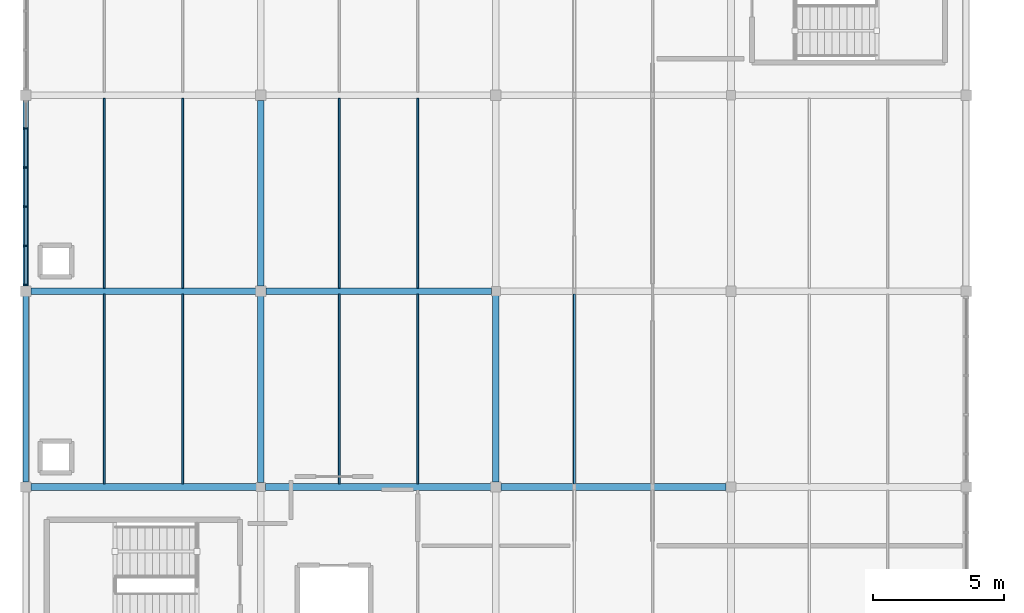
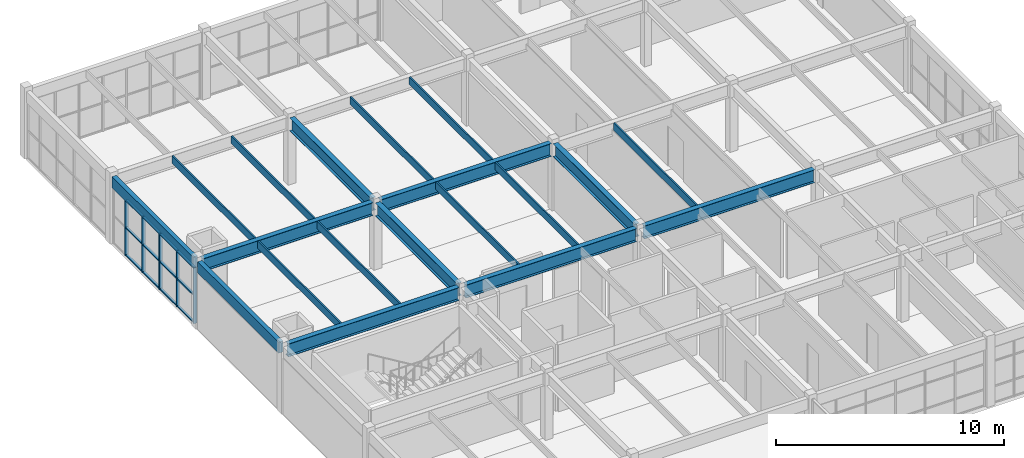
# One storey, part 30 of 81: 19 beams, 17 members, 1 element without a shape of its own.
"""IFC4 building model written with IfcOpenShell, lengths in metres."""

from ifc_helpers import new_model, si_unit, direction, frame, origin, origin_2d, place, context, subcontext, project, spatial, rectangle, i_section, extrude, material, layer, layer_set, material_profile, profile_set, type_object, element, aggregate, save


model = new_model("IFC4")

# Units and contexts
model_context = context("Model", 3, precision=1e-05, world=origin(), true_north=direction((0.0, 1.0)))
body_context = subcontext(model_context, "Body", "Model", "MODEL_VIEW")
ifc_project = project(units=[si_unit("LENGTHUNIT", "METRE"), si_unit("AREAUNIT", "SQUARE_METRE"), si_unit("VOLUMEUNIT", "CUBIC_METRE"), si_unit("PLANEANGLEUNIT", "RADIAN"), si_unit("MASSUNIT", "GRAM", prefix="KILO")], contexts=[model_context])

# Site, building, storey
site_placement = place(None, origin())
site = spatial("IfcSite", under=ifc_project, at=site_placement, CompositionType="ELEMENT")
building_placement = place(site_placement, origin())
building = spatial("IfcBuilding", under=site, at=building_placement, Name="Marnridge Secondary College", CompositionType="ELEMENT")
storey_placement = place(building_placement, frame((0.0, 0.0, 8.5)))
storey = spatial("IfcBuildingStorey", under=building, at=storey_placement, Name="L02", CompositionType="ELEMENT", Elevation=8.5)

# Beams
ifc_material_1 = material(Name="Glulam timber GL18", Category="wood")
ifc_material_profile_1 = material_profile(ifc_material_1, rectangle(XDim=0.215087890625, YDim=0.5849609375, at=origin_2d()), Name="GL18 215x585")
ifc_profile_set_1 = profile_set([ifc_material_profile_1], Name="Glulam timber GL18")
beam_type_1 = type_object("IfcBeamType", Name="BM-GL585-EXT", PredefinedType="SPANDREL", material=ifc_profile_set_1)
for number, where, z_axis, x_axis, name in (
    (1, (0.0, 97.694091796875, 3.28759765625), (0.0, 1.0, 0.0), (-1.0, 0.0, 0.0), "Beam BS-L02-0862"),
    (2, (0.0, 105.194091796875, 3.28759765625), (0.0, 1.0, 0.0), (-1.0, 0.0, 0.0), "Beam BS-L02-0865"),
):
    element("IfcBeam", number, at=place(storey_placement, frame(where, z_axis=z_axis, x_axis=x_axis)), inside=storey, type_object=beam_type_1, Name=name, PredefinedType="SPANDREL", context=body_context, shape_type="SweptSolid", body=[
        extrude(rectangle(XDim=0.215087890625, YDim=0.5849609375, at=origin_2d()), origin(), (0.0, 0.0, 1.0), 7.11181640625),
    ])
ifc_material_2 = material(Name="Engineered timber LVL E13.2", Category="wood")
ifc_material_profile_2 = material_profile(ifc_material_2, rectangle(XDim=0.074951171875, YDim=0.39990234375, at=origin_2d()), Name="LVL 75x400")
ifc_profile_set_2 = profile_set([ifc_material_profile_2], Name="Engineered timber LVL E13.2")
beam_type_2 = type_object("IfcBeamType", Name="BM-LVL400-INT", PredefinedType="JOIST", material=ifc_profile_set_2)
for number, where, z_axis, x_axis, name in (
    (3, (3.0, 97.618896484375, 3.3798828125), (0.0, 1.0, 0.0), (-1.0, 0.0, 0.0), "Beam BJ-L02-0906"),
    (4, (6.0, 97.618896484375, 3.3798828125), (0.0, 1.0, 0.0), (-1.0, 0.0, 0.0), "Beam BJ-L02-0907"),
    (5, (3.0, 105.118896484375, 3.3798828125), (0.0, 1.0, 0.0), (-1.0, 0.0, 0.0), "Beam BJ-L02-0908"),
    (6, (6.0, 105.118896484375, 3.3798828125), (0.0, 1.0, 0.0), (-1.0, 0.0, 0.0), "Beam BJ-L02-0909"),
    (7, (12.0, 97.618896484375, 3.3798828125), (0.0, 1.0, 0.0), (-1.0, 0.0, 0.0), "Beam BJ-L02-0913"),
    (8, (15.0, 97.618896484375, 3.3798828125), (0.0, 1.0, 0.0), (-1.0, 0.0, 0.0), "Beam BJ-L02-0914"),
    (9, (12.0, 105.118896484375, 3.3798828125), (0.0, 1.0, 0.0), (-1.0, 0.0, 0.0), "Beam BJ-L02-0915"),
    (10, (15.0, 105.118896484375, 3.3798828125), (0.0, 1.0, 0.0), (-1.0, 0.0, 0.0), "Beam BJ-L02-0916"),
    (11, (21.0, 97.618896484375, 3.3798828125), (0.0, 1.0, 0.0), (-1.0, 0.0, 0.0), "Beam BJ-L02-0921"),
):
    element("IfcBeam", number, at=place(storey_placement, frame(where, z_axis=z_axis, x_axis=x_axis)), inside=storey, type_object=beam_type_2, Name=name, PredefinedType="JOIST", context=body_context, shape_type="SweptSolid", body=[
        extrude(rectangle(XDim=0.074951171875, YDim=0.39990234375, at=origin_2d()), origin(), (0.0, 0.0, 1.0), 7.26220703125),
    ])
ifc_material_3 = material(Name="Structural steel Grade 350 (AS/NZS 3679.1/.2, fy = 340-360 MPa)", Category="steel")
ifc_material_profile_3 = material_profile(ifc_material_3, i_section(OverallWidth=0.25, OverallDepth=0.69189453125, WebThickness=0.009033203125, FlangeThickness=0.01611328125, at=origin_2d()), Name="700WB115")
ifc_profile_set_3 = profile_set([ifc_material_profile_3], Name="Structural steel Grade 350 (AS/NZS 3679.1/.2, fy = 340-360 MPa)")
beam_type_3 = type_object("IfcBeamType", Name="BM-WB700-INT", PredefinedType="BEAM", material=ifc_profile_set_3)
beam_1_placement = place(storey_placement, frame((0.194091796875, 97.5, 3.23388671875), z_axis=(1.0, 0.0, 0.0), x_axis=(0.0, 1.0, 0.0)))
element("IfcBeam", 12, at=beam_1_placement, inside=storey, type_object=beam_type_3, Name="Beam B-L02-0858", PredefinedType="BEAM", context=body_context, shape_type="SweptSolid", body=[
    extrude(i_section(OverallWidth=0.25, OverallDepth=0.69189453125, WebThickness=0.009033203125, FlangeThickness=0.01611328125, at=origin_2d()), origin(), (0.0, 0.0, 1.0), 8.6318359375),
])
beam_2_placement = place(storey_placement, frame((0.194091796875, 105.0, 3.23388671875), z_axis=(1.0, 0.0, 0.0), x_axis=(0.0, 1.0, 0.0)))
element("IfcBeam", 13, at=beam_2_placement, inside=storey, type_object=beam_type_3, Name="Beam B-L02-0861", PredefinedType="BEAM", context=body_context, shape_type="SweptSolid", body=[
    extrude(i_section(OverallWidth=0.25, OverallDepth=0.69189453125, WebThickness=0.009033203125, FlangeThickness=0.01611328125, at=origin_2d()), origin(), (0.0, 0.0, 1.0), 8.61181640625),
])
beam_3_placement = place(storey_placement, frame((9.0, 97.674072265625, 3.23388671875), z_axis=(0.0, 1.0, 0.0), x_axis=(-1.0, 0.0, 0.0)))
element("IfcBeam", 14, at=beam_3_placement, inside=storey, type_object=beam_type_3, Name="Beam B-L02-0863", PredefinedType="BEAM", context=body_context, shape_type="SweptSolid", body=[
    extrude(i_section(OverallWidth=0.25, OverallDepth=0.69189453125, WebThickness=0.009033203125, FlangeThickness=0.01611328125, at=origin_2d()), origin(), (0.0, 0.0, 1.0), 7.1318359375),
])
beam_4_placement = place(storey_placement, frame((9.0, 105.194091796875, 3.23388671875), z_axis=(0.0, 1.0, 0.0), x_axis=(-1.0, 0.0, 0.0)))
element("IfcBeam", 15, at=beam_4_placement, inside=storey, type_object=beam_type_3, Name="Beam B-L02-0866", PredefinedType="BEAM", context=body_context, shape_type="SweptSolid", body=[
    extrude(i_section(OverallWidth=0.25, OverallDepth=0.69189453125, WebThickness=0.009033203125, FlangeThickness=0.01611328125, at=origin_2d()), origin(), (0.0, 0.0, 1.0), 7.11181640625),
])
for number, where, z_axis, x_axis, name in (
    (16, (9.174072265625, 97.5, 3.23388671875), (1.0, 0.0, 0.0), (0.0, 1.0, 0.0), "Beam B-L02-0871"),
    (17, (9.194091796875, 105.0, 3.23388671875), (1.0, 0.0, 0.0), (0.0, 1.0, 0.0), "Beam B-L02-0873"),
):
    element("IfcBeam", number, at=place(storey_placement, frame(where, z_axis=z_axis, x_axis=x_axis)), inside=storey, type_object=beam_type_3, Name=name, PredefinedType="BEAM", context=body_context, shape_type="SweptSolid", body=[
        extrude(i_section(OverallWidth=0.25, OverallDepth=0.69189453125, WebThickness=0.009033203125, FlangeThickness=0.01611328125, at=origin_2d()), origin(), (0.0, 0.0, 1.0), 8.6318359375),
    ])
beam_5_placement = place(storey_placement, frame((18.0, 97.694091796875, 3.23388671875), z_axis=(0.0, 1.0, 0.0), x_axis=(-1.0, 0.0, 0.0)))
element("IfcBeam", 18, at=beam_5_placement, inside=storey, type_object=beam_type_3, Name="Beam B-L02-0874", PredefinedType="BEAM", context=body_context, shape_type="SweptSolid", body=[
    extrude(i_section(OverallWidth=0.25, OverallDepth=0.69189453125, WebThickness=0.009033203125, FlangeThickness=0.01611328125, at=origin_2d()), origin(), (0.0, 0.0, 1.0), 7.1318359375),
])
beam_6_placement = place(storey_placement, frame((18.194091796875, 97.5, 3.23388671875), z_axis=(1.0, 0.0, 0.0), x_axis=(0.0, 1.0, 0.0)))
element("IfcBeam", 19, at=beam_6_placement, inside=storey, type_object=beam_type_3, Name="Beam B-L02-0880", PredefinedType="BEAM", context=body_context, shape_type="SweptSolid", body=[
    extrude(i_section(OverallWidth=0.25, OverallDepth=0.69189453125, WebThickness=0.009033203125, FlangeThickness=0.01611328125, at=origin_2d()), origin(), (0.0, 0.0, 1.0), 8.61181640625),
])

# Curtain wall, members
ifc_material_4 = material(Name="Thermally broken aluminium and low-E glazing", Category="aluminium")
ifc_layer = layer(ifc_material_4, 0.159912109375)
ifc_layer_set = layer_set([ifc_layer], Name="CW-MOD-1500")
curtain_wall_type = type_object("IfcCurtainWallType", Name="CW-MOD-1500", PredefinedType="NOTDEFINED", material=ifc_layer_set)
curtain_wall_placement = place(storey_placement, origin())
curtain_wall = element("IfcCurtainWall", 20, at=curtain_wall_placement, inside=storey, type_object=curtain_wall_type, Name="Unitised curtain wall CW-L02-098", PredefinedType="NOTDEFINED")
ifc_material_5 = material(Name="Anodised aluminium 6063-T6", Category="aluminium")
ifc_material_profile_4 = material_profile(ifc_material_5, rectangle(XDim=0.06005859375, YDim=0.159912109375, at=origin_2d()), Name="ALU 60x160")
ifc_profile_set_4 = profile_set([ifc_material_profile_4], Name="Anodised aluminium 6063-T6")
member_type_1 = type_object("IfcMemberType", Name="CWM-ALU160", PredefinedType="MULLION", material=ifc_profile_set_4)
member_1_placement = place(storey_placement, frame((0.0, 105.23388671875, 0.0), z_axis=(0.0, 0.0, 1.0), x_axis=(0.0, 1.0, 0.0)))
member_1 = element("IfcMember", 21, at=member_1_placement, type_object=member_type_1, Name="CW-L02-098 mullion 1", PredefinedType="MULLION", context=body_context, shape_type="SweptSolid", body=[
    extrude(rectangle(XDim=0.06005859375, YDim=0.159912109375, at=origin_2d()), origin(), (0.0, 0.0, 1.0), 2.987060546875),
])
member_2_placement = place(storey_placement, frame((0.0, 106.73388671875, 0.0), z_axis=(0.0, 0.0, 1.0), x_axis=(0.0, 1.0, 0.0)))
member_2 = element("IfcMember", 22, at=member_2_placement, type_object=member_type_1, Name="CW-L02-098 mullion 2", PredefinedType="MULLION", context=body_context, shape_type="SweptSolid", body=[
    extrude(rectangle(XDim=0.06005859375, YDim=0.159912109375, at=origin_2d()), origin(), (0.0, 0.0, 1.0), 2.987060546875),
])
member_3_placement = place(storey_placement, frame((0.0, 108.23388671875, 0.0), z_axis=(0.0, 0.0, 1.0), x_axis=(0.0, 1.0, 0.0)))
member_3 = element("IfcMember", 23, at=member_3_placement, type_object=member_type_1, Name="CW-L02-098 mullion 3", PredefinedType="MULLION", context=body_context, shape_type="SweptSolid", body=[
    extrude(rectangle(XDim=0.06005859375, YDim=0.159912109375, at=origin_2d()), origin(), (0.0, 0.0, 1.0), 2.987060546875),
])
member_4_placement = place(storey_placement, frame((0.0, 109.73388671875, 0.0), z_axis=(0.0, 0.0, 1.0), x_axis=(0.0, 1.0, 0.0)))
member_4 = element("IfcMember", 24, at=member_4_placement, type_object=member_type_1, Name="CW-L02-098 mullion 4", PredefinedType="MULLION", context=body_context, shape_type="SweptSolid", body=[
    extrude(rectangle(XDim=0.06005859375, YDim=0.159912109375, at=origin_2d()), origin(), (0.0, 0.0, 1.0), 2.987060546875),
])
member_5_placement = place(storey_placement, frame((0.0, 111.23388671875, 0.0), z_axis=(0.0, 0.0, 1.0), x_axis=(0.0, 1.0, 0.0)))
member_5 = element("IfcMember", 25, at=member_5_placement, type_object=member_type_1, Name="CW-L02-098 mullion 5", PredefinedType="MULLION", context=body_context, shape_type="SweptSolid", body=[
    extrude(rectangle(XDim=0.06005859375, YDim=0.159912109375, at=origin_2d()), origin(), (0.0, 0.0, 1.0), 2.987060546875),
])
ifc_material_6 = material(Name="Anodised aluminium 6063-T6", Category="aluminium")
ifc_material_profile_5 = material_profile(ifc_material_6, rectangle(XDim=0.06005859375, YDim=0.1201171875, at=origin_2d()), Name="ALU 60x120")
ifc_profile_set_5 = profile_set([ifc_material_profile_5], Name="Anodised aluminium 6063-T6")
member_type_2 = type_object("IfcMemberType", Name="CWT-ALU120", PredefinedType="USERDEFINED", material=ifc_profile_set_5)
member_6_placement = place(storey_placement, frame((0.0, 105.263916015625, 0.030029296875), z_axis=(0.0, 1.0, 0.0), x_axis=(0.0, 0.0, 1.0)))
member_6 = element("IfcMember", 26, at=member_6_placement, type_object=member_type_2, Name="CW-L02-098 transom 1.1", ObjectType="TRANSOM", PredefinedType="USERDEFINED", context=body_context, shape_type="SweptSolid", body=[
    extrude(rectangle(XDim=0.06005859375, YDim=0.1201171875, at=origin_2d()), origin(), (0.0, 0.0, 1.0), 1.440185546875),
])
member_7_placement = place(storey_placement, frame((0.0, 105.263916015625, 1.493896484375), z_axis=(0.0, 1.0, 0.0), x_axis=(0.0, 0.0, 1.0)))
member_7 = element("IfcMember", 27, at=member_7_placement, type_object=member_type_2, Name="CW-L02-098 transom 1.2", ObjectType="TRANSOM", PredefinedType="USERDEFINED", context=body_context, shape_type="SweptSolid", body=[
    extrude(rectangle(XDim=0.06005859375, YDim=0.1201171875, at=origin_2d()), origin(), (0.0, 0.0, 1.0), 1.440185546875),
])
member_8_placement = place(storey_placement, frame((0.0, 105.263916015625, 2.95703125), z_axis=(0.0, 1.0, 0.0), x_axis=(0.0, 0.0, 1.0)))
member_8 = element("IfcMember", 28, at=member_8_placement, type_object=member_type_2, Name="CW-L02-098 transom 1.3", ObjectType="TRANSOM", PredefinedType="USERDEFINED", context=body_context, shape_type="SweptSolid", body=[
    extrude(rectangle(XDim=0.06005859375, YDim=0.1201171875, at=origin_2d()), origin(), (0.0, 0.0, 1.0), 1.440185546875),
])
member_9_placement = place(storey_placement, frame((0.0, 106.763916015625, 0.030029296875), z_axis=(0.0, 1.0, 0.0), x_axis=(0.0, 0.0, 1.0)))
member_9 = element("IfcMember", 29, at=member_9_placement, type_object=member_type_2, Name="CW-L02-098 transom 2.1", ObjectType="TRANSOM", PredefinedType="USERDEFINED", context=body_context, shape_type="SweptSolid", body=[
    extrude(rectangle(XDim=0.06005859375, YDim=0.1201171875, at=origin_2d()), origin(), (0.0, 0.0, 1.0), 1.440185546875),
])
member_10_placement = place(storey_placement, frame((0.0, 106.763916015625, 1.493896484375), z_axis=(0.0, 1.0, 0.0), x_axis=(0.0, 0.0, 1.0)))
member_10 = element("IfcMember", 30, at=member_10_placement, type_object=member_type_2, Name="CW-L02-098 transom 2.2", ObjectType="TRANSOM", PredefinedType="USERDEFINED", context=body_context, shape_type="SweptSolid", body=[
    extrude(rectangle(XDim=0.06005859375, YDim=0.1201171875, at=origin_2d()), origin(), (0.0, 0.0, 1.0), 1.440185546875),
])
member_11_placement = place(storey_placement, frame((0.0, 106.763916015625, 2.95703125), z_axis=(0.0, 1.0, 0.0), x_axis=(0.0, 0.0, 1.0)))
member_11 = element("IfcMember", 31, at=member_11_placement, type_object=member_type_2, Name="CW-L02-098 transom 2.3", ObjectType="TRANSOM", PredefinedType="USERDEFINED", context=body_context, shape_type="SweptSolid", body=[
    extrude(rectangle(XDim=0.06005859375, YDim=0.1201171875, at=origin_2d()), origin(), (0.0, 0.0, 1.0), 1.440185546875),
])
member_12_placement = place(storey_placement, frame((0.0, 108.263916015625, 0.030029296875), z_axis=(0.0, 1.0, 0.0), x_axis=(0.0, 0.0, 1.0)))
member_12 = element("IfcMember", 32, at=member_12_placement, type_object=member_type_2, Name="CW-L02-098 transom 3.1", ObjectType="TRANSOM", PredefinedType="USERDEFINED", context=body_context, shape_type="SweptSolid", body=[
    extrude(rectangle(XDim=0.06005859375, YDim=0.1201171875, at=origin_2d()), origin(), (0.0, 0.0, 1.0), 1.440185546875),
])
member_13_placement = place(storey_placement, frame((0.0, 108.263916015625, 1.493896484375), z_axis=(0.0, 1.0, 0.0), x_axis=(0.0, 0.0, 1.0)))
member_13 = element("IfcMember", 33, at=member_13_placement, type_object=member_type_2, Name="CW-L02-098 transom 3.2", ObjectType="TRANSOM", PredefinedType="USERDEFINED", context=body_context, shape_type="SweptSolid", body=[
    extrude(rectangle(XDim=0.06005859375, YDim=0.1201171875, at=origin_2d()), origin(), (0.0, 0.0, 1.0), 1.440185546875),
])
member_14_placement = place(storey_placement, frame((0.0, 108.263916015625, 2.95703125), z_axis=(0.0, 1.0, 0.0), x_axis=(0.0, 0.0, 1.0)))
member_14 = element("IfcMember", 34, at=member_14_placement, type_object=member_type_2, Name="CW-L02-098 transom 3.3", ObjectType="TRANSOM", PredefinedType="USERDEFINED", context=body_context, shape_type="SweptSolid", body=[
    extrude(rectangle(XDim=0.06005859375, YDim=0.1201171875, at=origin_2d()), origin(), (0.0, 0.0, 1.0), 1.440185546875),
])
member_15_placement = place(storey_placement, frame((0.0, 109.763916015625, 0.030029296875), z_axis=(0.0, 1.0, 0.0), x_axis=(0.0, 0.0, 1.0)))
member_15 = element("IfcMember", 35, at=member_15_placement, type_object=member_type_2, Name="CW-L02-098 transom 4.1", ObjectType="TRANSOM", PredefinedType="USERDEFINED", context=body_context, shape_type="SweptSolid", body=[
    extrude(rectangle(XDim=0.06005859375, YDim=0.1201171875, at=origin_2d()), origin(), (0.0, 0.0, 1.0), 1.440185546875),
])
member_16_placement = place(storey_placement, frame((0.0, 109.763916015625, 1.493896484375), z_axis=(0.0, 1.0, 0.0), x_axis=(0.0, 0.0, 1.0)))
member_16 = element("IfcMember", 36, at=member_16_placement, type_object=member_type_2, Name="CW-L02-098 transom 4.2", ObjectType="TRANSOM", PredefinedType="USERDEFINED", context=body_context, shape_type="SweptSolid", body=[
    extrude(rectangle(XDim=0.06005859375, YDim=0.1201171875, at=origin_2d()), origin(), (0.0, 0.0, 1.0), 1.440185546875),
])
member_17_placement = place(storey_placement, frame((0.0, 109.763916015625, 2.95703125), z_axis=(0.0, 1.0, 0.0), x_axis=(0.0, 0.0, 1.0)))
member_17 = element("IfcMember", 37, at=member_17_placement, type_object=member_type_2, Name="CW-L02-098 transom 4.3", ObjectType="TRANSOM", PredefinedType="USERDEFINED", context=body_context, shape_type="SweptSolid", body=[
    extrude(rectangle(XDim=0.06005859375, YDim=0.1201171875, at=origin_2d()), origin(), (0.0, 0.0, 1.0), 1.440185546875),
])
aggregate(curtain_wall, [member_1, member_2, member_3, member_4, member_5, member_6, member_7, member_8, member_9, member_10, member_11, member_12, member_13, member_14, member_15, member_16, member_17])

save(model, "model.ifc")
